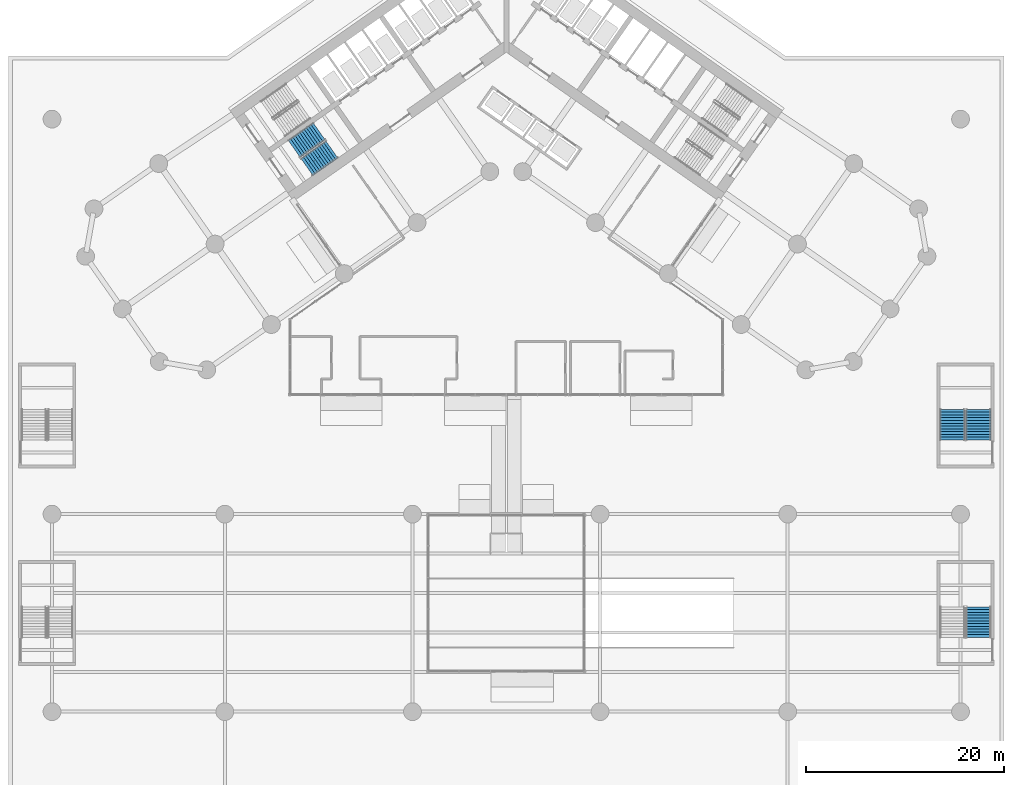
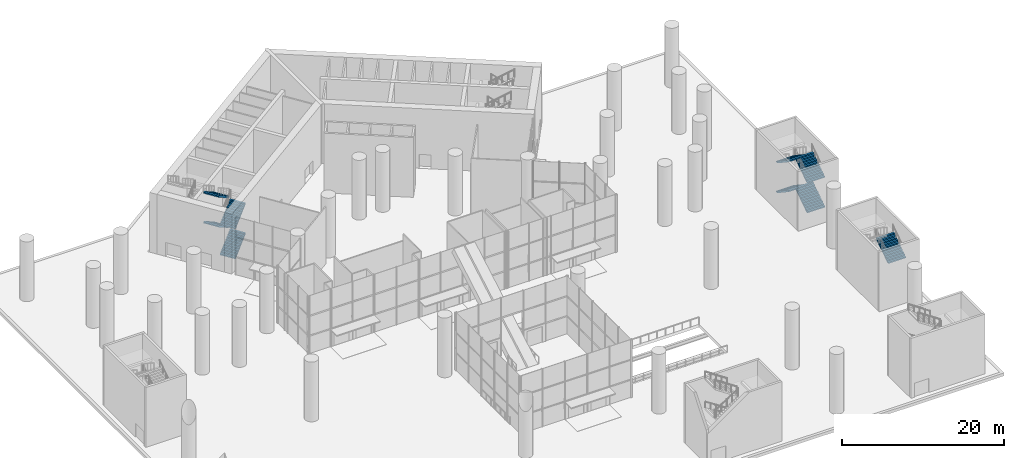
# One storey, part 24 of 37: 9 stair flights, 3 elements without a shape of their own.
"""IFC4 building model written with IfcOpenShell, lengths in metres."""

import ifcopenshell
import ifcopenshell.guid

model = None  # the IFC model being written
_history = None  # IfcOwnerHistory: only IFC2X3 demands one
_inside = {}  # id of a spatial element -> (the spatial element, [elements in it])
_under = {}  # id of a project, library or spatial element -> (it, [spatial elements below it])
_declared = {}  # id of a project -> (the project, [libraries it declares])
_typed = {}  # id of a type object -> (the type object, [elements of that type])
_made_of = {}  # id of a material, layer set ... -> (it, [elements and type objects made of it])


def new_model(schema):
    """Start an empty IFC model of exactly this schema.

    Asked for "IFC4X3", IfcOpenShell would pick the latest addendum, in which some entities
    have other attributes; the version numbers below select the first issue.
    IFC2X3 requires an IfcOwnerHistory on every rooted entity: one is made here for all.
    """
    global model, _history
    if schema == "IFC4X3":
        model = ifcopenshell.file(schema_version=(4, 3, 0, 0))
    else:
        model = ifcopenshell.file(schema=schema)
    _inside.clear()
    _under.clear()
    _declared.clear()
    _typed.clear()
    _made_of.clear()
    _history = None
    if model.schema == "IFC2X3":
        org = make("IfcOrganization", Name="unknown")
        user = make(
            "IfcPersonAndOrganization",
            ThePerson=make("IfcPerson", FamilyName="unknown"),
            TheOrganization=org,
        )
        app = make(
            "IfcApplication",
            ApplicationDeveloper=org,
            Version="unknown",
            ApplicationFullName="unknown",
            ApplicationIdentifier="unknown",
        )
        _history = make(
            "IfcOwnerHistory",
            OwningUser=user,
            OwningApplication=app,
            ChangeAction="ADDED",
            CreationDate=0,
        )
    return model


def make(cls, **values):
    """One entity of the class cls with the attributes given. An attribute that is None is left unset."""
    return model.create_entity(
        cls, **{name: value for name, value in values.items() if value is not None}
    )


def rooted(cls, **values):
    """An entity with a GlobalId (a new one), such as an element, a storey or a relation."""
    return make(cls, GlobalId=ifcopenshell.guid.new(), OwnerHistory=_history, **values)


def si_unit(unit_type, name, prefix=None):
    """IfcSIUnit, for example si_unit("LENGTHUNIT", "METRE", prefix="MILLI")."""
    return make("IfcSIUnit", UnitType=unit_type, Prefix=prefix, Name=name)


def assignment(units):
    """IfcUnitAssignment: the units of a project."""
    return None if units is None else make("IfcUnitAssignment", Units=units)


def point(xyz):
    """IfcCartesianPoint."""
    return None if xyz is None else make("IfcCartesianPoint", Coordinates=xyz)


def direction(xyz):
    """IfcDirection."""
    return None if xyz is None else make("IfcDirection", DirectionRatios=xyz)


def frame(location, z_axis=None, x_axis=None):
    """IfcAxis2Placement3D, a coordinate frame: its origin and axes. An axis left out is left unset."""
    return make(
        "IfcAxis2Placement3D",
        Location=point(location),
        Axis=direction(z_axis),
        RefDirection=direction(x_axis),
    )


def origin():
    """The frame at (0, 0, 0) with its axes left unset."""
    return frame((0.0, 0.0, 0.0))


def place(relative_to, where):
    """IfcLocalPlacement: puts the frame where relative to a parent placement (None: the world)."""
    return make(
        "IfcLocalPlacement", PlacementRelTo=relative_to, RelativePlacement=where
    )


def context(
    kind, dimensions, precision=None, world=None, true_north=None, identifier=None
):
    """IfcGeometricRepresentationContext, for example the 3D "Model" context."""
    return make(
        "IfcGeometricRepresentationContext",
        ContextIdentifier=identifier,
        ContextType=kind,
        CoordinateSpaceDimension=dimensions,
        Precision=precision,
        WorldCoordinateSystem=world,
        TrueNorth=true_north,
    )


def subcontext(parent, identifier, kind, view, scale=None):
    """IfcGeometricRepresentationSubContext, for example "Body" below "Model"."""
    return make(
        "IfcGeometricRepresentationSubContext",
        ContextIdentifier=identifier,
        ContextType=kind,
        ParentContext=parent,
        TargetScale=scale,
        TargetView=view,
    )


def project(units=None, contexts=None):
    """IfcProject with its units and contexts."""
    return rooted(
        "IfcProject",
        Name="project",
        RepresentationContexts=contexts,
        UnitsInContext=assignment(units),
    )


def spatial(cls, under=None, at=None, **own):
    """A site, building, storey or space (cls), placed at a placement, below another one or the project."""
    s = rooted(cls, ObjectPlacement=at, **own)
    if under is not None:
        _under.setdefault(under.id(), (under, []))[1].append(s)
    return s


def polyline(points):
    """IfcPolyline through the points."""
    return make("IfcPolyline", Points=[point(p) for p in points])


def outline(outer, holes=None, kind="AREA"):
    """IfcArbitraryClosedProfileDef: a profile drawn as a closed curve; with holes, ...WithVoids."""
    if holes is None:
        return make("IfcArbitraryClosedProfileDef", ProfileType=kind, OuterCurve=outer)
    return make(
        "IfcArbitraryProfileDefWithVoids",
        ProfileType=kind,
        OuterCurve=outer,
        InnerCurves=holes,
    )


def extrude(swept, where, along, depth):
    """IfcExtrudedAreaSolid: the profile swept, set in the frame where, extruded along a direction by depth."""
    return make(
        "IfcExtrudedAreaSolid",
        SweptArea=swept,
        Position=where,
        ExtrudedDirection=direction(along),
        Depth=depth,
    )


def shape(context_of_items, identifier, shape_type, items):
    """IfcShapeRepresentation: the items that make up one representation, for example the "Body"."""
    return make(
        "IfcShapeRepresentation",
        ContextOfItems=context_of_items,
        RepresentationIdentifier=identifier,
        RepresentationType=shape_type,
        Items=items,
    )


def material(Name=None, Category=None):
    """IfcMaterial."""
    return make("IfcMaterial", Name=Name, Category=Category)


def made_of(thing, what):
    """Note that an element or type object is made of a material, layer set ...; save() writes the relation."""
    if what is not None:
        _made_of.setdefault(what.id(), (what, []))[1].append(thing)
    return thing


def type_object(cls, material=None, **own):
    """A type object (cls), such as IfcWallType, which elements share."""
    return made_of(rooted(cls, **own), material)


def element(
    cls,
    number,
    at=None,
    inside=None,
    cuts=None,
    type_object=None,
    material=None,
    context=None,
    identifier="Body",
    shape_type=None,
    held_by="IfcProductDefinitionShape",
    body=None,
    shapes=None,
    **own,
):
    """One element of the class cls, such as IfcWall. Its Tag is "e" and its number.

    at: its placement. inside: the storey or other place that contains it. cuts: it is an
    opening in that element (IfcRelVoidsElement). A single representation is given by context,
    identifier, shape_type and body (its items); several are given by shapes. held_by: the class
    of the entity that holds the representations. save() writes the other relations.
    """
    e = rooted(cls, Tag="e%d" % number, ObjectPlacement=at, **own)
    if body is not None:
        shapes = [shape(context, identifier, shape_type, body)]
    if shapes is not None:
        e.Representation = make(held_by, Representations=shapes)
    if inside is not None:
        _inside.setdefault(inside.id(), (inside, []))[1].append(e)
    if cuts is not None:
        rooted(
            "IfcRelVoidsElement", RelatingBuildingElement=cuts, RelatedOpeningElement=e
        )
    if type_object is not None:
        _typed.setdefault(type_object.id(), (type_object, []))[1].append(e)
    return made_of(e, material)


def aggregate(whole, parts):
    """IfcRelAggregates: a whole, such as a stair, and the parts it consists of."""
    return rooted("IfcRelAggregates", RelatingObject=whole, RelatedObjects=parts)


def save(model, path):
    """Write the relations noted so far, then the file.

    IfcRelAggregates (storeys below a building ...), IfcRelContainedInSpatialStructure (elements
    in a storey), IfcRelDefinesByType, IfcRelAssociatesMaterial and IfcRelDeclares: one each for
    every whole, place, type object, material and project.
    """
    for whole, parts in _under.values():
        aggregate(whole, parts)
    for where, things in _inside.values():
        rooted(
            "IfcRelContainedInSpatialStructure",
            RelatedElements=things,
            RelatingStructure=where,
        )
    for kind, things in _typed.values():
        rooted("IfcRelDefinesByType", RelatedObjects=things, RelatingType=kind)
    for what, things in _made_of.values():
        rooted("IfcRelAssociatesMaterial", RelatedObjects=things, RelatingMaterial=what)
    for by, libraries in _declared.values():
        rooted("IfcRelDeclares", RelatingContext=by, RelatedDefinitions=libraries)
    model.write(path)


model = new_model("IFC4")

# Units and contexts
model_context = context("Model", 3, precision=1e-05, world=origin(), true_north=direction((0.0, 1.0)))
body_context = subcontext(model_context, "Body", "Model", "MODEL_VIEW")
ifc_project = project(units=[si_unit("LENGTHUNIT", "METRE"), si_unit("AREAUNIT", "SQUARE_METRE"), si_unit("VOLUMEUNIT", "CUBIC_METRE"), si_unit("PLANEANGLEUNIT", "RADIAN"), si_unit("MASSUNIT", "GRAM", prefix="KILO")], contexts=[model_context])

# Site, building, storey
site_placement = place(None, origin())
site = spatial("IfcSite", under=ifc_project, at=site_placement, CompositionType="ELEMENT")
building_placement = place(site_placement, origin())
building = spatial("IfcBuilding", under=site, at=building_placement, Name="Tel Ilan Convention Tower", CompositionType="ELEMENT")
storey_placement = place(building_placement, origin())
storey = spatial("IfcBuildingStorey", under=building, at=storey_placement, Name="L00", CompositionType="ELEMENT", Elevation=0.0)

# Stair, stair flights
ifc_material_1 = material(Name="Concrete C40/50", Category="concrete")
stair_type = type_object("IfcStairType", Name="Pressurised Exit Stair 48 risers 188 mm", PredefinedType="HALF_TURN_STAIR", material=ifc_material_1)
stair_1_placement = place(storey_placement, origin())
stair_1 = element("IfcStair", 1, at=stair_1_placement, inside=storey, type_object=stair_type, Name="L00 Pressurised Stair S2", PredefinedType="HALF_TURN_STAIR")
ifc_material_2 = material(Name="Precast Concrete C40/50", Category="concrete")
stair_flight_type_1 = type_object("IfcStairFlightType", Name="Concrete Stair Flight 2100 mm 48 risers 188 mm", PredefinedType="STRAIGHT", material=ifc_material_2)
stair_flight_1_placement = place(storey_placement, frame((-20.179931640625, -12.848388671875, 0.0), z_axis=(0.0, 0.0, 1.0), x_axis=(0.819152044289, 0.573576436351, 0.0)))
stair_flight_1 = element("IfcStairFlight", 2, at=stair_flight_1_placement, type_object=stair_flight_type_1, Name="S2 flight 1", NumberOfRisers=12, NumberOfTreads=11, PredefinedType="STRAIGHT", RiserHeight=0.1875, TreadLength=0.28, context=body_context, shape_type="SweptSolid", body=[
    extrude(outline(polyline([(0.0, 0.0), (0.0, 0.1875), (0.280029296875, 0.1875), (0.280029296875, 0.375), (0.56005859375, 0.375), (0.56005859375, 0.5625), (0.840087890625, 0.5625), (0.840087890625, 0.75), (1.1201171875, 0.75), (1.1201171875, 0.9375), (1.39990234375, 0.9375), (1.39990234375, 1.125), (1.679931640625, 1.125), (1.679931640625, 1.3125), (1.9599609375, 1.3125), (1.9599609375, 1.5), (2.239990234375, 1.5), (2.239990234375, 1.6875), (2.52001953125, 1.6875), (2.52001953125, 1.875), (2.800048828125, 1.875), (2.800048828125, 2.0625), (3.080078125, 2.0625), (3.080078125, 2.25), (3.080078125, 1.882080078125), (0.26953125, 0.0), (0.0, 0.0)])), frame((0.0, -0.100341796875, 0.0), z_axis=(0.0, -1.0, 0.0), x_axis=(1.0, 0.0, 0.0)), (0.0, 0.0, 1.0), 0.94970703125),
    extrude(outline(polyline([(0.0, 0.0), (0.0, 0.1875), (0.280029296875, 0.1875), (0.280029296875, 0.375), (0.56005859375, 0.375), (0.56005859375, 0.5625), (0.840087890625, 0.5625), (0.840087890625, 0.75), (1.1201171875, 0.75), (1.1201171875, 0.9375), (1.39990234375, 0.9375), (1.39990234375, 1.125), (1.679931640625, 1.125), (1.679931640625, 1.3125), (1.9599609375, 1.3125), (1.9599609375, 1.5), (2.239990234375, 1.5), (2.239990234375, 1.6875), (2.52001953125, 1.6875), (2.52001953125, 1.875), (2.800048828125, 1.875), (2.800048828125, 2.0625), (3.080078125, 2.0625), (3.080078125, 2.25), (3.080078125, 1.882080078125), (0.26953125, 0.0), (0.0, 0.0)])), frame((0.0, -0.000244140625, 0.0), z_axis=(0.0, -1.0, 0.0), x_axis=(1.0, 0.0, 0.0)), (0.0, 0.0, 1.0), 0.099609375),
    extrude(outline(polyline([(0.0, 0.0), (0.0, 0.1875), (0.280029296875, 0.1875), (0.280029296875, 0.375), (0.56005859375, 0.375), (0.56005859375, 0.5625), (0.840087890625, 0.5625), (0.840087890625, 0.75), (1.1201171875, 0.75), (1.1201171875, 0.9375), (1.39990234375, 0.9375), (1.39990234375, 1.125), (1.679931640625, 1.125), (1.679931640625, 1.3125), (1.9599609375, 1.3125), (1.9599609375, 1.5), (2.239990234375, 1.5), (2.239990234375, 1.6875), (2.52001953125, 1.6875), (2.52001953125, 1.875), (2.800048828125, 1.875), (2.800048828125, 2.0625), (3.080078125, 2.0625), (3.080078125, 2.25), (3.080078125, 1.882080078125), (0.26953125, 0.0), (0.0, 0.0)])), frame((0.0, 0.099853515625, 0.0), z_axis=(0.0, -1.0, 0.0), x_axis=(1.0, 0.0, 0.0)), (0.0, 0.0, 1.0), 0.099609375),
    extrude(outline(polyline([(0.0, 0.0), (0.0, 0.1875), (0.280029296875, 0.1875), (0.280029296875, 0.375), (0.56005859375, 0.375), (0.56005859375, 0.5625), (0.840087890625, 0.5625), (0.840087890625, 0.75), (1.1201171875, 0.75), (1.1201171875, 0.9375), (1.39990234375, 0.9375), (1.39990234375, 1.125), (1.679931640625, 1.125), (1.679931640625, 1.3125), (1.9599609375, 1.3125), (1.9599609375, 1.5), (2.239990234375, 1.5), (2.239990234375, 1.6875), (2.52001953125, 1.6875), (2.52001953125, 1.875), (2.800048828125, 1.875), (2.800048828125, 2.0625), (3.080078125, 2.0625), (3.080078125, 2.25), (3.080078125, 1.882080078125), (0.26953125, 0.0), (0.0, 0.0)])), frame((0.0, 1.050048828125, 0.0), z_axis=(0.0, -1.0, 0.0), x_axis=(1.0, 0.0, 0.0)), (0.0, 0.0, 1.0), 0.94970703125),
])
stair_flight_2_placement = place(storey_placement, frame((-18.947509765625, -9.23876953125, 2.25), z_axis=(0.0, 0.0, 1.0), x_axis=(-0.819152044289, -0.573576436351, 0.0)))
stair_flight_2 = element("IfcStairFlight", 3, at=stair_flight_2_placement, type_object=stair_flight_type_1, Name="S2 flight 2", NumberOfRisers=12, NumberOfTreads=11, PredefinedType="STRAIGHT", RiserHeight=0.1875, TreadLength=0.28, context=body_context, shape_type="SweptSolid", body=[
    extrude(outline(polyline([(0.0, 0.0), (0.0, 0.1875), (0.280029296875, 0.1875), (0.280029296875, 0.375), (0.56005859375, 0.375), (0.56005859375, 0.5625), (0.840087890625, 0.5625), (0.840087890625, 0.75), (1.1201171875, 0.75), (1.1201171875, 0.9375), (1.39990234375, 0.9375), (1.39990234375, 1.125), (1.679931640625, 1.125), (1.679931640625, 1.3125), (1.9599609375, 1.3125), (1.9599609375, 1.5), (2.239990234375, 1.5), (2.239990234375, 1.6875), (2.52001953125, 1.6875), (2.52001953125, 1.875), (2.800048828125, 1.875), (2.800048828125, 2.0625), (3.080078125, 2.0625), (3.080078125, 2.25), (3.080078125, 1.882080078125), (0.26953125, 0.0), (0.0, 0.0)])), frame((0.0, -0.100341796875, 0.0), z_axis=(0.0, -1.0, 0.0), x_axis=(1.0, 0.0, 0.0)), (0.0, 0.0, 1.0), 0.94970703125),
    extrude(outline(polyline([(0.0, 0.0), (0.0, 0.1875), (0.280029296875, 0.1875), (0.280029296875, 0.375), (0.56005859375, 0.375), (0.56005859375, 0.5625), (0.840087890625, 0.5625), (0.840087890625, 0.75), (1.1201171875, 0.75), (1.1201171875, 0.9375), (1.39990234375, 0.9375), (1.39990234375, 1.125), (1.679931640625, 1.125), (1.679931640625, 1.3125), (1.9599609375, 1.3125), (1.9599609375, 1.5), (2.239990234375, 1.5), (2.239990234375, 1.6875), (2.52001953125, 1.6875), (2.52001953125, 1.875), (2.800048828125, 1.875), (2.800048828125, 2.0625), (3.080078125, 2.0625), (3.080078125, 2.25), (3.080078125, 1.882080078125), (0.26953125, 0.0), (0.0, 0.0)])), frame((0.0, -0.000244140625, 0.0), z_axis=(0.0, -1.0, 0.0), x_axis=(1.0, 0.0, 0.0)), (0.0, 0.0, 1.0), 0.099609375),
    extrude(outline(polyline([(0.0, 0.0), (0.0, 0.1875), (0.280029296875, 0.1875), (0.280029296875, 0.375), (0.56005859375, 0.375), (0.56005859375, 0.5625), (0.840087890625, 0.5625), (0.840087890625, 0.75), (1.1201171875, 0.75), (1.1201171875, 0.9375), (1.39990234375, 0.9375), (1.39990234375, 1.125), (1.679931640625, 1.125), (1.679931640625, 1.3125), (1.9599609375, 1.3125), (1.9599609375, 1.5), (2.239990234375, 1.5), (2.239990234375, 1.6875), (2.52001953125, 1.6875), (2.52001953125, 1.875), (2.800048828125, 1.875), (2.800048828125, 2.0625), (3.080078125, 2.0625), (3.080078125, 2.25), (3.080078125, 1.882080078125), (0.26953125, 0.0), (0.0, 0.0)])), frame((0.0, 0.099853515625, 0.0), z_axis=(0.0, -1.0, 0.0), x_axis=(1.0, 0.0, 0.0)), (0.0, 0.0, 1.0), 0.099609375),
    extrude(outline(polyline([(0.0, 0.0), (0.0, 0.1875), (0.280029296875, 0.1875), (0.280029296875, 0.375), (0.56005859375, 0.375), (0.56005859375, 0.5625), (0.840087890625, 0.5625), (0.840087890625, 0.75), (1.1201171875, 0.75), (1.1201171875, 0.9375), (1.39990234375, 0.9375), (1.39990234375, 1.125), (1.679931640625, 1.125), (1.679931640625, 1.3125), (1.9599609375, 1.3125), (1.9599609375, 1.5), (2.239990234375, 1.5), (2.239990234375, 1.6875), (2.52001953125, 1.6875), (2.52001953125, 1.875), (2.800048828125, 1.875), (2.800048828125, 2.0625), (3.080078125, 2.0625), (3.080078125, 2.25), (3.080078125, 1.882080078125), (0.26953125, 0.0), (0.0, 0.0)])), frame((0.0, 1.050048828125, 0.0), z_axis=(0.0, -1.0, 0.0), x_axis=(1.0, 0.0, 0.0)), (0.0, 0.0, 1.0), 0.94970703125),
])
stair_flight_3_placement = place(storey_placement, frame((-20.179931640625, -12.848388671875, 4.5), z_axis=(0.0, 0.0, 1.0), x_axis=(0.819152044289, 0.573576436351, 0.0)))
stair_flight_3 = element("IfcStairFlight", 4, at=stair_flight_3_placement, type_object=stair_flight_type_1, Name="S2 flight 3", NumberOfRisers=12, NumberOfTreads=11, PredefinedType="STRAIGHT", RiserHeight=0.1875, TreadLength=0.28, context=body_context, shape_type="SweptSolid", body=[
    extrude(outline(polyline([(0.0, 0.0), (0.0, 0.1875), (0.280029296875, 0.1875), (0.280029296875, 0.375), (0.56005859375, 0.375), (0.56005859375, 0.5625), (0.840087890625, 0.5625), (0.840087890625, 0.75), (1.1201171875, 0.75), (1.1201171875, 0.9375), (1.39990234375, 0.9375), (1.39990234375, 1.125), (1.679931640625, 1.125), (1.679931640625, 1.3125), (1.9599609375, 1.3125), (1.9599609375, 1.5), (2.239990234375, 1.5), (2.239990234375, 1.6875), (2.52001953125, 1.6875), (2.52001953125, 1.875), (2.800048828125, 1.875), (2.800048828125, 2.0625), (3.080078125, 2.0625), (3.080078125, 2.25), (3.080078125, 1.882080078125), (0.26953125, 0.0), (0.0, 0.0)])), frame((0.0, -0.100341796875, 0.0), z_axis=(0.0, -1.0, 0.0), x_axis=(1.0, 0.0, 0.0)), (0.0, 0.0, 1.0), 0.94970703125),
    extrude(outline(polyline([(0.0, 0.0), (0.0, 0.1875), (0.280029296875, 0.1875), (0.280029296875, 0.375), (0.56005859375, 0.375), (0.56005859375, 0.5625), (0.840087890625, 0.5625), (0.840087890625, 0.75), (1.1201171875, 0.75), (1.1201171875, 0.9375), (1.39990234375, 0.9375), (1.39990234375, 1.125), (1.679931640625, 1.125), (1.679931640625, 1.3125), (1.9599609375, 1.3125), (1.9599609375, 1.5), (2.239990234375, 1.5), (2.239990234375, 1.6875), (2.52001953125, 1.6875), (2.52001953125, 1.875), (2.800048828125, 1.875), (2.800048828125, 2.0625), (3.080078125, 2.0625), (3.080078125, 2.25), (3.080078125, 1.882080078125), (0.26953125, 0.0), (0.0, 0.0)])), frame((0.0, -0.000244140625, 0.0), z_axis=(0.0, -1.0, 0.0), x_axis=(1.0, 0.0, 0.0)), (0.0, 0.0, 1.0), 0.099609375),
    extrude(outline(polyline([(0.0, 0.0), (0.0, 0.1875), (0.280029296875, 0.1875), (0.280029296875, 0.375), (0.56005859375, 0.375), (0.56005859375, 0.5625), (0.840087890625, 0.5625), (0.840087890625, 0.75), (1.1201171875, 0.75), (1.1201171875, 0.9375), (1.39990234375, 0.9375), (1.39990234375, 1.125), (1.679931640625, 1.125), (1.679931640625, 1.3125), (1.9599609375, 1.3125), (1.9599609375, 1.5), (2.239990234375, 1.5), (2.239990234375, 1.6875), (2.52001953125, 1.6875), (2.52001953125, 1.875), (2.800048828125, 1.875), (2.800048828125, 2.0625), (3.080078125, 2.0625), (3.080078125, 2.25), (3.080078125, 1.882080078125), (0.26953125, 0.0), (0.0, 0.0)])), frame((0.0, 0.099853515625, 0.0), z_axis=(0.0, -1.0, 0.0), x_axis=(1.0, 0.0, 0.0)), (0.0, 0.0, 1.0), 0.099609375),
    extrude(outline(polyline([(0.0, 0.0), (0.0, 0.1875), (0.280029296875, 0.1875), (0.280029296875, 0.375), (0.56005859375, 0.375), (0.56005859375, 0.5625), (0.840087890625, 0.5625), (0.840087890625, 0.75), (1.1201171875, 0.75), (1.1201171875, 0.9375), (1.39990234375, 0.9375), (1.39990234375, 1.125), (1.679931640625, 1.125), (1.679931640625, 1.3125), (1.9599609375, 1.3125), (1.9599609375, 1.5), (2.239990234375, 1.5), (2.239990234375, 1.6875), (2.52001953125, 1.6875), (2.52001953125, 1.875), (2.800048828125, 1.875), (2.800048828125, 2.0625), (3.080078125, 2.0625), (3.080078125, 2.25), (3.080078125, 1.882080078125), (0.26953125, 0.0), (0.0, 0.0)])), frame((0.0, 1.050048828125, 0.0), z_axis=(0.0, -1.0, 0.0), x_axis=(1.0, 0.0, 0.0)), (0.0, 0.0, 1.0), 0.94970703125),
])
stair_flight_4_placement = place(storey_placement, frame((-18.947509765625, -9.23876953125, 6.75), z_axis=(0.0, 0.0, 1.0), x_axis=(-0.819152044289, -0.573576436351, 0.0)))
stair_flight_4 = element("IfcStairFlight", 5, at=stair_flight_4_placement, type_object=stair_flight_type_1, Name="S2 flight 4", NumberOfRisers=12, NumberOfTreads=11, PredefinedType="STRAIGHT", RiserHeight=0.1875, TreadLength=0.28, context=body_context, shape_type="SweptSolid", body=[
    extrude(outline(polyline([(0.0, 0.0), (0.0, 0.1875), (0.280029296875, 0.1875), (0.280029296875, 0.375), (0.56005859375, 0.375), (0.56005859375, 0.5625), (0.840087890625, 0.5625), (0.840087890625, 0.75), (1.1201171875, 0.75), (1.1201171875, 0.9375), (1.39990234375, 0.9375), (1.39990234375, 1.125), (1.679931640625, 1.125), (1.679931640625, 1.3125), (1.9599609375, 1.3125), (1.9599609375, 1.5), (2.239990234375, 1.5), (2.239990234375, 1.6875), (2.52001953125, 1.6875), (2.52001953125, 1.875), (2.800048828125, 1.875), (2.800048828125, 2.0625), (3.080078125, 2.0625), (3.080078125, 2.25), (3.080078125, 1.882080078125), (0.26953125, 0.0), (0.0, 0.0)])), frame((0.0, -0.100341796875, 0.0), z_axis=(0.0, -1.0, 0.0), x_axis=(1.0, 0.0, 0.0)), (0.0, 0.0, 1.0), 0.94970703125),
    extrude(outline(polyline([(0.0, 0.0), (0.0, 0.1875), (0.280029296875, 0.1875), (0.280029296875, 0.375), (0.56005859375, 0.375), (0.56005859375, 0.5625), (0.840087890625, 0.5625), (0.840087890625, 0.75), (1.1201171875, 0.75), (1.1201171875, 0.9375), (1.39990234375, 0.9375), (1.39990234375, 1.125), (1.679931640625, 1.125), (1.679931640625, 1.3125), (1.9599609375, 1.3125), (1.9599609375, 1.5), (2.239990234375, 1.5), (2.239990234375, 1.6875), (2.52001953125, 1.6875), (2.52001953125, 1.875), (2.800048828125, 1.875), (2.800048828125, 2.0625), (3.080078125, 2.0625), (3.080078125, 2.25), (3.080078125, 1.882080078125), (0.26953125, 0.0), (0.0, 0.0)])), frame((0.0, -0.000244140625, 0.0), z_axis=(0.0, -1.0, 0.0), x_axis=(1.0, 0.0, 0.0)), (0.0, 0.0, 1.0), 0.099609375),
    extrude(outline(polyline([(0.0, 0.0), (0.0, 0.1875), (0.280029296875, 0.1875), (0.280029296875, 0.375), (0.56005859375, 0.375), (0.56005859375, 0.5625), (0.840087890625, 0.5625), (0.840087890625, 0.75), (1.1201171875, 0.75), (1.1201171875, 0.9375), (1.39990234375, 0.9375), (1.39990234375, 1.125), (1.679931640625, 1.125), (1.679931640625, 1.3125), (1.9599609375, 1.3125), (1.9599609375, 1.5), (2.239990234375, 1.5), (2.239990234375, 1.6875), (2.52001953125, 1.6875), (2.52001953125, 1.875), (2.800048828125, 1.875), (2.800048828125, 2.0625), (3.080078125, 2.0625), (3.080078125, 2.25), (3.080078125, 1.882080078125), (0.26953125, 0.0), (0.0, 0.0)])), frame((0.0, 0.099853515625, 0.0), z_axis=(0.0, -1.0, 0.0), x_axis=(1.0, 0.0, 0.0)), (0.0, 0.0, 1.0), 0.099609375),
    extrude(outline(polyline([(0.0, 0.0), (0.0, 0.1875), (0.280029296875, 0.1875), (0.280029296875, 0.375), (0.56005859375, 0.375), (0.56005859375, 0.5625), (0.840087890625, 0.5625), (0.840087890625, 0.75), (1.1201171875, 0.75), (1.1201171875, 0.9375), (1.39990234375, 0.9375), (1.39990234375, 1.125), (1.679931640625, 1.125), (1.679931640625, 1.3125), (1.9599609375, 1.3125), (1.9599609375, 1.5), (2.239990234375, 1.5), (2.239990234375, 1.6875), (2.52001953125, 1.6875), (2.52001953125, 1.875), (2.800048828125, 1.875), (2.800048828125, 2.0625), (3.080078125, 2.0625), (3.080078125, 2.25), (3.080078125, 1.882080078125), (0.26953125, 0.0), (0.0, 0.0)])), frame((0.0, 1.050048828125, 0.0), z_axis=(0.0, -1.0, 0.0), x_axis=(1.0, 0.0, 0.0)), (0.0, 0.0, 1.0), 0.94970703125),
])
aggregate(stair_1, [stair_flight_1, stair_flight_2, stair_flight_3, stair_flight_4])

# Stair, stair flight
stair_2_placement = place(storey_placement, origin())
stair_2 = element("IfcStair", 6, at=stair_2_placement, inside=storey, type_object=stair_type, Name="L00 Podium Exit Stair P6", PredefinedType="HALF_TURN_STAIR")
ifc_material_3 = material(Name="Precast Concrete C40/50", Category="concrete")
stair_flight_type_2 = type_object("IfcStairFlightType", Name="Concrete Stair Flight 2525 mm 48 risers 188 mm", PredefinedType="STRAIGHT", material=ifc_material_3)
stair_flight_5_placement = place(storey_placement, frame((47.83740234375, -60.47509765625, 4.5), z_axis=(0.0, 0.0, 1.0), x_axis=(0.0, 1.0, 0.0)))
stair_flight_5 = element("IfcStairFlight", 7, at=stair_flight_5_placement, type_object=stair_flight_type_2, Name="P6 flight 3", NumberOfRisers=12, NumberOfTreads=11, PredefinedType="STRAIGHT", RiserHeight=0.1875, TreadLength=0.28, context=body_context, shape_type="SweptSolid", body=[
    extrude(outline(polyline([(0.0, 0.0), (0.0, 0.1875), (0.280029296875, 0.1875), (0.280029296875, 0.375), (0.56005859375, 0.375), (0.56005859375, 0.5625), (0.840087890625, 0.5625), (0.840087890625, 0.75), (1.1201171875, 0.75), (1.1201171875, 0.9375), (1.39990234375, 0.9375), (1.39990234375, 1.125), (1.679931640625, 1.125), (1.679931640625, 1.3125), (1.9599609375, 1.3125), (1.9599609375, 1.5), (2.239990234375, 1.5), (2.239990234375, 1.6875), (2.52001953125, 1.6875), (2.52001953125, 1.875), (2.800048828125, 1.875), (2.800048828125, 2.0625), (3.080078125, 2.0625), (3.080078125, 2.25), (3.080078125, 1.882080078125), (0.26953125, 0.0), (0.0, 0.0)])), frame((0.0, -0.100341796875, 0.0), z_axis=(0.0, -1.0, 0.0), x_axis=(1.0, 0.0, 0.0)), (0.0, 0.0, 1.0), 1.162109375),
    extrude(outline(polyline([(0.0, 0.0), (0.0, 0.1875), (0.280029296875, 0.1875), (0.280029296875, 0.375), (0.56005859375, 0.375), (0.56005859375, 0.5625), (0.840087890625, 0.5625), (0.840087890625, 0.75), (1.1201171875, 0.75), (1.1201171875, 0.9375), (1.39990234375, 0.9375), (1.39990234375, 1.125), (1.679931640625, 1.125), (1.679931640625, 1.3125), (1.9599609375, 1.3125), (1.9599609375, 1.5), (2.239990234375, 1.5), (2.239990234375, 1.6875), (2.52001953125, 1.6875), (2.52001953125, 1.875), (2.800048828125, 1.875), (2.800048828125, 2.0625), (3.080078125, 2.0625), (3.080078125, 2.25), (3.080078125, 1.882080078125), (0.26953125, 0.0), (0.0, 0.0)])), frame((0.0, -0.000244140625, 0.0), z_axis=(0.0, -1.0, 0.0), x_axis=(1.0, 0.0, 0.0)), (0.0, 0.0, 1.0), 0.099609375),
    extrude(outline(polyline([(0.0, 0.0), (0.0, 0.1875), (0.280029296875, 0.1875), (0.280029296875, 0.375), (0.56005859375, 0.375), (0.56005859375, 0.5625), (0.840087890625, 0.5625), (0.840087890625, 0.75), (1.1201171875, 0.75), (1.1201171875, 0.9375), (1.39990234375, 0.9375), (1.39990234375, 1.125), (1.679931640625, 1.125), (1.679931640625, 1.3125), (1.9599609375, 1.3125), (1.9599609375, 1.5), (2.239990234375, 1.5), (2.239990234375, 1.6875), (2.52001953125, 1.6875), (2.52001953125, 1.875), (2.800048828125, 1.875), (2.800048828125, 2.0625), (3.080078125, 2.0625), (3.080078125, 2.25), (3.080078125, 1.882080078125), (0.26953125, 0.0), (0.0, 0.0)])), frame((0.0, 0.099853515625, 0.0), z_axis=(0.0, -1.0, 0.0), x_axis=(1.0, 0.0, 0.0)), (0.0, 0.0, 1.0), 0.099609375),
    extrude(outline(polyline([(0.0, 0.0), (0.0, 0.1875), (0.280029296875, 0.1875), (0.280029296875, 0.375), (0.56005859375, 0.375), (0.56005859375, 0.5625), (0.840087890625, 0.5625), (0.840087890625, 0.75), (1.1201171875, 0.75), (1.1201171875, 0.9375), (1.39990234375, 0.9375), (1.39990234375, 1.125), (1.679931640625, 1.125), (1.679931640625, 1.3125), (1.9599609375, 1.3125), (1.9599609375, 1.5), (2.239990234375, 1.5), (2.239990234375, 1.6875), (2.52001953125, 1.6875), (2.52001953125, 1.875), (2.800048828125, 1.875), (2.800048828125, 2.0625), (3.080078125, 2.0625), (3.080078125, 2.25), (3.080078125, 1.882080078125), (0.26953125, 0.0), (0.0, 0.0)])), frame((0.0, 1.262451171875, 0.0), z_axis=(0.0, -1.0, 0.0), x_axis=(1.0, 0.0, 0.0)), (0.0, 0.0, 1.0), 1.162109375),
])
aggregate(stair_2, [stair_flight_5])

# Stair, stair flights
stair_3_placement = place(storey_placement, origin())
stair_3 = element("IfcStair", 8, at=stair_3_placement, inside=storey, type_object=stair_type, Name="L00 Podium Exit Stair P8", PredefinedType="HALF_TURN_STAIR")
stair_flight_6_placement = place(storey_placement, frame((47.83740234375, -40.47509765625, 0.0), z_axis=(0.0, 0.0, 1.0), x_axis=(0.0, 1.0, 0.0)))
stair_flight_6 = element("IfcStairFlight", 9, at=stair_flight_6_placement, type_object=stair_flight_type_2, Name="P8 flight 1", NumberOfRisers=12, NumberOfTreads=11, PredefinedType="STRAIGHT", RiserHeight=0.1875, TreadLength=0.28, context=body_context, shape_type="SweptSolid", body=[
    extrude(outline(polyline([(0.0, 0.0), (0.0, 0.1875), (0.280029296875, 0.1875), (0.280029296875, 0.375), (0.56005859375, 0.375), (0.56005859375, 0.5625), (0.840087890625, 0.5625), (0.840087890625, 0.75), (1.1201171875, 0.75), (1.1201171875, 0.9375), (1.39990234375, 0.9375), (1.39990234375, 1.125), (1.679931640625, 1.125), (1.679931640625, 1.3125), (1.9599609375, 1.3125), (1.9599609375, 1.5), (2.239990234375, 1.5), (2.239990234375, 1.6875), (2.52001953125, 1.6875), (2.52001953125, 1.875), (2.800048828125, 1.875), (2.800048828125, 2.0625), (3.080078125, 2.0625), (3.080078125, 2.25), (3.080078125, 1.882080078125), (0.26953125, 0.0), (0.0, 0.0)])), frame((0.0, -0.100341796875, 0.0), z_axis=(0.0, -1.0, 0.0), x_axis=(1.0, 0.0, 0.0)), (0.0, 0.0, 1.0), 1.162109375),
    extrude(outline(polyline([(0.0, 0.0), (0.0, 0.1875), (0.280029296875, 0.1875), (0.280029296875, 0.375), (0.56005859375, 0.375), (0.56005859375, 0.5625), (0.840087890625, 0.5625), (0.840087890625, 0.75), (1.1201171875, 0.75), (1.1201171875, 0.9375), (1.39990234375, 0.9375), (1.39990234375, 1.125), (1.679931640625, 1.125), (1.679931640625, 1.3125), (1.9599609375, 1.3125), (1.9599609375, 1.5), (2.239990234375, 1.5), (2.239990234375, 1.6875), (2.52001953125, 1.6875), (2.52001953125, 1.875), (2.800048828125, 1.875), (2.800048828125, 2.0625), (3.080078125, 2.0625), (3.080078125, 2.25), (3.080078125, 1.882080078125), (0.26953125, 0.0), (0.0, 0.0)])), frame((0.0, -0.000244140625, 0.0), z_axis=(0.0, -1.0, 0.0), x_axis=(1.0, 0.0, 0.0)), (0.0, 0.0, 1.0), 0.099609375),
    extrude(outline(polyline([(0.0, 0.0), (0.0, 0.1875), (0.280029296875, 0.1875), (0.280029296875, 0.375), (0.56005859375, 0.375), (0.56005859375, 0.5625), (0.840087890625, 0.5625), (0.840087890625, 0.75), (1.1201171875, 0.75), (1.1201171875, 0.9375), (1.39990234375, 0.9375), (1.39990234375, 1.125), (1.679931640625, 1.125), (1.679931640625, 1.3125), (1.9599609375, 1.3125), (1.9599609375, 1.5), (2.239990234375, 1.5), (2.239990234375, 1.6875), (2.52001953125, 1.6875), (2.52001953125, 1.875), (2.800048828125, 1.875), (2.800048828125, 2.0625), (3.080078125, 2.0625), (3.080078125, 2.25), (3.080078125, 1.882080078125), (0.26953125, 0.0), (0.0, 0.0)])), frame((0.0, 0.099853515625, 0.0), z_axis=(0.0, -1.0, 0.0), x_axis=(1.0, 0.0, 0.0)), (0.0, 0.0, 1.0), 0.099609375),
    extrude(outline(polyline([(0.0, 0.0), (0.0, 0.1875), (0.280029296875, 0.1875), (0.280029296875, 0.375), (0.56005859375, 0.375), (0.56005859375, 0.5625), (0.840087890625, 0.5625), (0.840087890625, 0.75), (1.1201171875, 0.75), (1.1201171875, 0.9375), (1.39990234375, 0.9375), (1.39990234375, 1.125), (1.679931640625, 1.125), (1.679931640625, 1.3125), (1.9599609375, 1.3125), (1.9599609375, 1.5), (2.239990234375, 1.5), (2.239990234375, 1.6875), (2.52001953125, 1.6875), (2.52001953125, 1.875), (2.800048828125, 1.875), (2.800048828125, 2.0625), (3.080078125, 2.0625), (3.080078125, 2.25), (3.080078125, 1.882080078125), (0.26953125, 0.0), (0.0, 0.0)])), frame((0.0, 1.262451171875, 0.0), z_axis=(0.0, -1.0, 0.0), x_axis=(1.0, 0.0, 0.0)), (0.0, 0.0, 1.0), 1.162109375),
])
stair_flight_7_placement = place(storey_placement, frame((45.16259765625, -37.39501953125, 2.25), z_axis=(0.0, 0.0, 1.0), x_axis=(0.0, -1.0, 0.0)))
stair_flight_7 = element("IfcStairFlight", 10, at=stair_flight_7_placement, type_object=stair_flight_type_2, Name="P8 flight 2", NumberOfRisers=12, NumberOfTreads=11, PredefinedType="STRAIGHT", RiserHeight=0.1875, TreadLength=0.28, context=body_context, shape_type="SweptSolid", body=[
    extrude(outline(polyline([(0.0, 0.0), (0.0, 0.1875), (0.280029296875, 0.1875), (0.280029296875, 0.375), (0.56005859375, 0.375), (0.56005859375, 0.5625), (0.840087890625, 0.5625), (0.840087890625, 0.75), (1.1201171875, 0.75), (1.1201171875, 0.9375), (1.39990234375, 0.9375), (1.39990234375, 1.125), (1.679931640625, 1.125), (1.679931640625, 1.3125), (1.9599609375, 1.3125), (1.9599609375, 1.5), (2.239990234375, 1.5), (2.239990234375, 1.6875), (2.52001953125, 1.6875), (2.52001953125, 1.875), (2.800048828125, 1.875), (2.800048828125, 2.0625), (3.080078125, 2.0625), (3.080078125, 2.25), (3.080078125, 1.882080078125), (0.26953125, 0.0), (0.0, 0.0)])), frame((0.0, -0.100341796875, 0.0), z_axis=(0.0, -1.0, 0.0), x_axis=(1.0, 0.0, 0.0)), (0.0, 0.0, 1.0), 1.162109375),
    extrude(outline(polyline([(0.0, 0.0), (0.0, 0.1875), (0.280029296875, 0.1875), (0.280029296875, 0.375), (0.56005859375, 0.375), (0.56005859375, 0.5625), (0.840087890625, 0.5625), (0.840087890625, 0.75), (1.1201171875, 0.75), (1.1201171875, 0.9375), (1.39990234375, 0.9375), (1.39990234375, 1.125), (1.679931640625, 1.125), (1.679931640625, 1.3125), (1.9599609375, 1.3125), (1.9599609375, 1.5), (2.239990234375, 1.5), (2.239990234375, 1.6875), (2.52001953125, 1.6875), (2.52001953125, 1.875), (2.800048828125, 1.875), (2.800048828125, 2.0625), (3.080078125, 2.0625), (3.080078125, 2.25), (3.080078125, 1.882080078125), (0.26953125, 0.0), (0.0, 0.0)])), frame((0.0, -0.000244140625, 0.0), z_axis=(0.0, -1.0, 0.0), x_axis=(1.0, 0.0, 0.0)), (0.0, 0.0, 1.0), 0.099609375),
    extrude(outline(polyline([(0.0, 0.0), (0.0, 0.1875), (0.280029296875, 0.1875), (0.280029296875, 0.375), (0.56005859375, 0.375), (0.56005859375, 0.5625), (0.840087890625, 0.5625), (0.840087890625, 0.75), (1.1201171875, 0.75), (1.1201171875, 0.9375), (1.39990234375, 0.9375), (1.39990234375, 1.125), (1.679931640625, 1.125), (1.679931640625, 1.3125), (1.9599609375, 1.3125), (1.9599609375, 1.5), (2.239990234375, 1.5), (2.239990234375, 1.6875), (2.52001953125, 1.6875), (2.52001953125, 1.875), (2.800048828125, 1.875), (2.800048828125, 2.0625), (3.080078125, 2.0625), (3.080078125, 2.25), (3.080078125, 1.882080078125), (0.26953125, 0.0), (0.0, 0.0)])), frame((0.0, 0.099853515625, 0.0), z_axis=(0.0, -1.0, 0.0), x_axis=(1.0, 0.0, 0.0)), (0.0, 0.0, 1.0), 0.099609375),
    extrude(outline(polyline([(0.0, 0.0), (0.0, 0.1875), (0.280029296875, 0.1875), (0.280029296875, 0.375), (0.56005859375, 0.375), (0.56005859375, 0.5625), (0.840087890625, 0.5625), (0.840087890625, 0.75), (1.1201171875, 0.75), (1.1201171875, 0.9375), (1.39990234375, 0.9375), (1.39990234375, 1.125), (1.679931640625, 1.125), (1.679931640625, 1.3125), (1.9599609375, 1.3125), (1.9599609375, 1.5), (2.239990234375, 1.5), (2.239990234375, 1.6875), (2.52001953125, 1.6875), (2.52001953125, 1.875), (2.800048828125, 1.875), (2.800048828125, 2.0625), (3.080078125, 2.0625), (3.080078125, 2.25), (3.080078125, 1.882080078125), (0.26953125, 0.0), (0.0, 0.0)])), frame((0.0, 1.262451171875, 0.0), z_axis=(0.0, -1.0, 0.0), x_axis=(1.0, 0.0, 0.0)), (0.0, 0.0, 1.0), 1.162109375),
])
stair_flight_8_placement = place(storey_placement, frame((47.83740234375, -40.47509765625, 4.5), z_axis=(0.0, 0.0, 1.0), x_axis=(0.0, 1.0, 0.0)))
stair_flight_8 = element("IfcStairFlight", 11, at=stair_flight_8_placement, type_object=stair_flight_type_2, Name="P8 flight 3", NumberOfRisers=12, NumberOfTreads=11, PredefinedType="STRAIGHT", RiserHeight=0.1875, TreadLength=0.28, context=body_context, shape_type="SweptSolid", body=[
    extrude(outline(polyline([(0.0, 0.0), (0.0, 0.1875), (0.280029296875, 0.1875), (0.280029296875, 0.375), (0.56005859375, 0.375), (0.56005859375, 0.5625), (0.840087890625, 0.5625), (0.840087890625, 0.75), (1.1201171875, 0.75), (1.1201171875, 0.9375), (1.39990234375, 0.9375), (1.39990234375, 1.125), (1.679931640625, 1.125), (1.679931640625, 1.3125), (1.9599609375, 1.3125), (1.9599609375, 1.5), (2.239990234375, 1.5), (2.239990234375, 1.6875), (2.52001953125, 1.6875), (2.52001953125, 1.875), (2.800048828125, 1.875), (2.800048828125, 2.0625), (3.080078125, 2.0625), (3.080078125, 2.25), (3.080078125, 1.882080078125), (0.26953125, 0.0), (0.0, 0.0)])), frame((0.0, -0.100341796875, 0.0), z_axis=(0.0, -1.0, 0.0), x_axis=(1.0, 0.0, 0.0)), (0.0, 0.0, 1.0), 1.162109375),
    extrude(outline(polyline([(0.0, 0.0), (0.0, 0.1875), (0.280029296875, 0.1875), (0.280029296875, 0.375), (0.56005859375, 0.375), (0.56005859375, 0.5625), (0.840087890625, 0.5625), (0.840087890625, 0.75), (1.1201171875, 0.75), (1.1201171875, 0.9375), (1.39990234375, 0.9375), (1.39990234375, 1.125), (1.679931640625, 1.125), (1.679931640625, 1.3125), (1.9599609375, 1.3125), (1.9599609375, 1.5), (2.239990234375, 1.5), (2.239990234375, 1.6875), (2.52001953125, 1.6875), (2.52001953125, 1.875), (2.800048828125, 1.875), (2.800048828125, 2.0625), (3.080078125, 2.0625), (3.080078125, 2.25), (3.080078125, 1.882080078125), (0.26953125, 0.0), (0.0, 0.0)])), frame((0.0, -0.000244140625, 0.0), z_axis=(0.0, -1.0, 0.0), x_axis=(1.0, 0.0, 0.0)), (0.0, 0.0, 1.0), 0.099609375),
    extrude(outline(polyline([(0.0, 0.0), (0.0, 0.1875), (0.280029296875, 0.1875), (0.280029296875, 0.375), (0.56005859375, 0.375), (0.56005859375, 0.5625), (0.840087890625, 0.5625), (0.840087890625, 0.75), (1.1201171875, 0.75), (1.1201171875, 0.9375), (1.39990234375, 0.9375), (1.39990234375, 1.125), (1.679931640625, 1.125), (1.679931640625, 1.3125), (1.9599609375, 1.3125), (1.9599609375, 1.5), (2.239990234375, 1.5), (2.239990234375, 1.6875), (2.52001953125, 1.6875), (2.52001953125, 1.875), (2.800048828125, 1.875), (2.800048828125, 2.0625), (3.080078125, 2.0625), (3.080078125, 2.25), (3.080078125, 1.882080078125), (0.26953125, 0.0), (0.0, 0.0)])), frame((0.0, 0.099853515625, 0.0), z_axis=(0.0, -1.0, 0.0), x_axis=(1.0, 0.0, 0.0)), (0.0, 0.0, 1.0), 0.099609375),
    extrude(outline(polyline([(0.0, 0.0), (0.0, 0.1875), (0.280029296875, 0.1875), (0.280029296875, 0.375), (0.56005859375, 0.375), (0.56005859375, 0.5625), (0.840087890625, 0.5625), (0.840087890625, 0.75), (1.1201171875, 0.75), (1.1201171875, 0.9375), (1.39990234375, 0.9375), (1.39990234375, 1.125), (1.679931640625, 1.125), (1.679931640625, 1.3125), (1.9599609375, 1.3125), (1.9599609375, 1.5), (2.239990234375, 1.5), (2.239990234375, 1.6875), (2.52001953125, 1.6875), (2.52001953125, 1.875), (2.800048828125, 1.875), (2.800048828125, 2.0625), (3.080078125, 2.0625), (3.080078125, 2.25), (3.080078125, 1.882080078125), (0.26953125, 0.0), (0.0, 0.0)])), frame((0.0, 1.262451171875, 0.0), z_axis=(0.0, -1.0, 0.0), x_axis=(1.0, 0.0, 0.0)), (0.0, 0.0, 1.0), 1.162109375),
])
stair_flight_9_placement = place(storey_placement, frame((45.16259765625, -37.39501953125, 6.75), z_axis=(0.0, 0.0, 1.0), x_axis=(0.0, -1.0, 0.0)))
stair_flight_9 = element("IfcStairFlight", 12, at=stair_flight_9_placement, type_object=stair_flight_type_2, Name="P8 flight 4", NumberOfRisers=12, NumberOfTreads=11, PredefinedType="STRAIGHT", RiserHeight=0.1875, TreadLength=0.28, context=body_context, shape_type="SweptSolid", body=[
    extrude(outline(polyline([(0.0, 0.0), (0.0, 0.1875), (0.280029296875, 0.1875), (0.280029296875, 0.375), (0.56005859375, 0.375), (0.56005859375, 0.5625), (0.840087890625, 0.5625), (0.840087890625, 0.75), (1.1201171875, 0.75), (1.1201171875, 0.9375), (1.39990234375, 0.9375), (1.39990234375, 1.125), (1.679931640625, 1.125), (1.679931640625, 1.3125), (1.9599609375, 1.3125), (1.9599609375, 1.5), (2.239990234375, 1.5), (2.239990234375, 1.6875), (2.52001953125, 1.6875), (2.52001953125, 1.875), (2.800048828125, 1.875), (2.800048828125, 2.0625), (3.080078125, 2.0625), (3.080078125, 2.25), (3.080078125, 1.882080078125), (0.26953125, 0.0), (0.0, 0.0)])), frame((0.0, -0.100341796875, 0.0), z_axis=(0.0, -1.0, 0.0), x_axis=(1.0, 0.0, 0.0)), (0.0, 0.0, 1.0), 1.162109375),
    extrude(outline(polyline([(0.0, 0.0), (0.0, 0.1875), (0.280029296875, 0.1875), (0.280029296875, 0.375), (0.56005859375, 0.375), (0.56005859375, 0.5625), (0.840087890625, 0.5625), (0.840087890625, 0.75), (1.1201171875, 0.75), (1.1201171875, 0.9375), (1.39990234375, 0.9375), (1.39990234375, 1.125), (1.679931640625, 1.125), (1.679931640625, 1.3125), (1.9599609375, 1.3125), (1.9599609375, 1.5), (2.239990234375, 1.5), (2.239990234375, 1.6875), (2.52001953125, 1.6875), (2.52001953125, 1.875), (2.800048828125, 1.875), (2.800048828125, 2.0625), (3.080078125, 2.0625), (3.080078125, 2.25), (3.080078125, 1.882080078125), (0.26953125, 0.0), (0.0, 0.0)])), frame((0.0, -0.000244140625, 0.0), z_axis=(0.0, -1.0, 0.0), x_axis=(1.0, 0.0, 0.0)), (0.0, 0.0, 1.0), 0.099609375),
    extrude(outline(polyline([(0.0, 0.0), (0.0, 0.1875), (0.280029296875, 0.1875), (0.280029296875, 0.375), (0.56005859375, 0.375), (0.56005859375, 0.5625), (0.840087890625, 0.5625), (0.840087890625, 0.75), (1.1201171875, 0.75), (1.1201171875, 0.9375), (1.39990234375, 0.9375), (1.39990234375, 1.125), (1.679931640625, 1.125), (1.679931640625, 1.3125), (1.9599609375, 1.3125), (1.9599609375, 1.5), (2.239990234375, 1.5), (2.239990234375, 1.6875), (2.52001953125, 1.6875), (2.52001953125, 1.875), (2.800048828125, 1.875), (2.800048828125, 2.0625), (3.080078125, 2.0625), (3.080078125, 2.25), (3.080078125, 1.882080078125), (0.26953125, 0.0), (0.0, 0.0)])), frame((0.0, 0.099853515625, 0.0), z_axis=(0.0, -1.0, 0.0), x_axis=(1.0, 0.0, 0.0)), (0.0, 0.0, 1.0), 0.099609375),
    extrude(outline(polyline([(0.0, 0.0), (0.0, 0.1875), (0.280029296875, 0.1875), (0.280029296875, 0.375), (0.56005859375, 0.375), (0.56005859375, 0.5625), (0.840087890625, 0.5625), (0.840087890625, 0.75), (1.1201171875, 0.75), (1.1201171875, 0.9375), (1.39990234375, 0.9375), (1.39990234375, 1.125), (1.679931640625, 1.125), (1.679931640625, 1.3125), (1.9599609375, 1.3125), (1.9599609375, 1.5), (2.239990234375, 1.5), (2.239990234375, 1.6875), (2.52001953125, 1.6875), (2.52001953125, 1.875), (2.800048828125, 1.875), (2.800048828125, 2.0625), (3.080078125, 2.0625), (3.080078125, 2.25), (3.080078125, 1.882080078125), (0.26953125, 0.0), (0.0, 0.0)])), frame((0.0, 1.262451171875, 0.0), z_axis=(0.0, -1.0, 0.0), x_axis=(1.0, 0.0, 0.0)), (0.0, 0.0, 1.0), 1.162109375),
])
aggregate(stair_3, [stair_flight_6, stair_flight_7, stair_flight_8, stair_flight_9])

save(model, "model.ifc")
